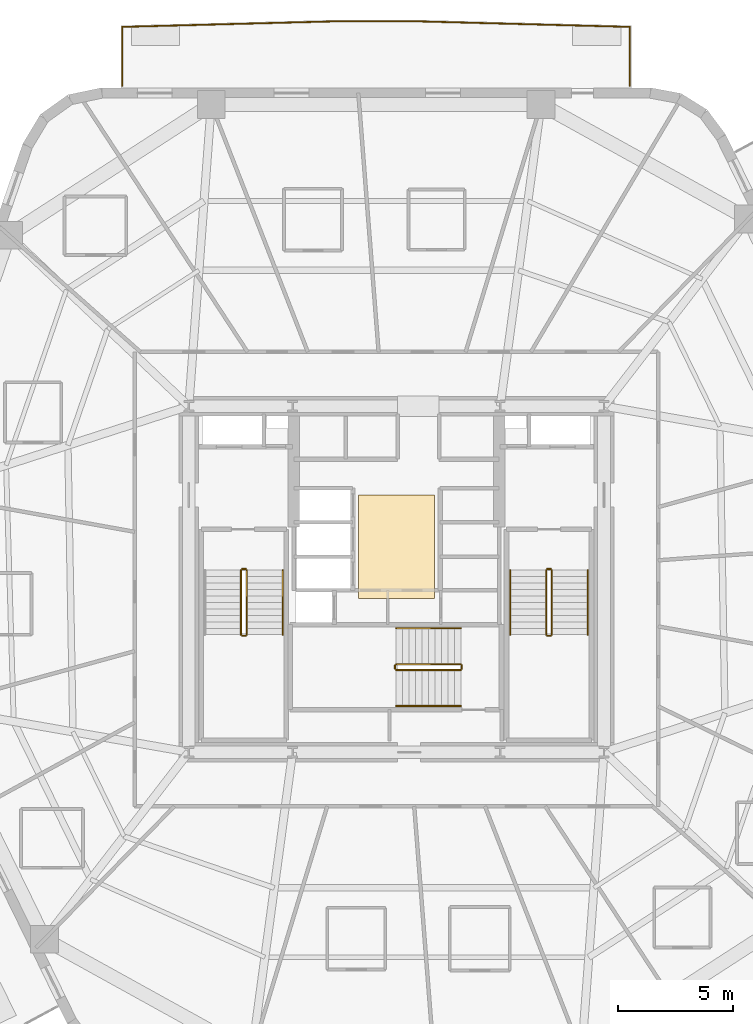
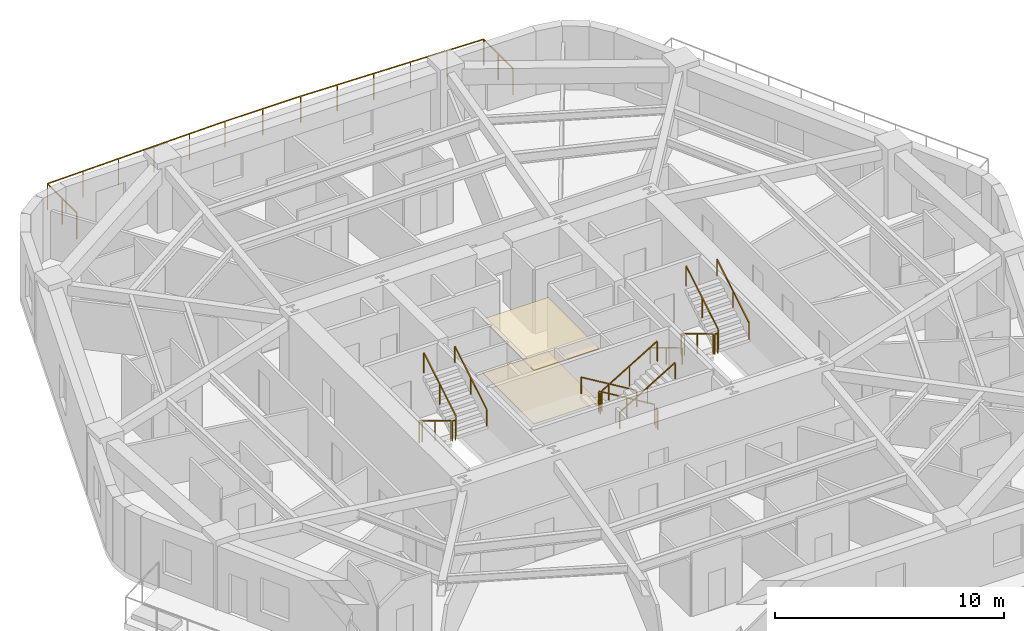
# One storey, part 9 of 10: 18 railings, 2 coverings.
"""IFC4 building model written with IfcOpenShell, lengths in metres."""

from ifc_helpers import new_model, si_unit, direction, frame, origin, origin_2d, place, context, subcontext, project, spatial, polyline, rectangle, outline, extrude, material, layer, layer_set, type_object, element, save


model = new_model("IFC4")

# Units and contexts
model_context = context("Model", 3, precision=1e-05, world=origin(), true_north=direction((0.0, 1.0)))
body_context = subcontext(model_context, "Body", "Model", "MODEL_VIEW")
ifc_project = project(units=[si_unit("LENGTHUNIT", "METRE"), si_unit("AREAUNIT", "SQUARE_METRE"), si_unit("VOLUMEUNIT", "CUBIC_METRE"), si_unit("PLANEANGLEUNIT", "RADIAN"), si_unit("MASSUNIT", "GRAM", prefix="KILO")], contexts=[model_context])

# Site, building, storey
site_placement = place(None, origin())
site = spatial("IfcSite", under=ifc_project, at=site_placement, CompositionType="ELEMENT")
building_placement = place(site_placement, origin())
building = spatial("IfcBuilding", under=site, at=building_placement, Name="Kilnhurst Terrace Hotel", CompositionType="ELEMENT")
storey_placement = place(building_placement, frame((0.0, 0.0, 95.10009765625)))
storey = spatial("IfcBuildingStorey", under=building, at=storey_placement, Name="L22", CompositionType="ELEMENT", Elevation=95.10009765625)

# Coverings
ifc_material_1 = material(Name="Perforated Micro-Acoustic Gypsum and Mineral Wool Ceiling")
ifc_layer_1 = layer(ifc_material_1, 0.050048828125, Name="Perforated Micro-Acoustic Gypsum and Mineral Wool Ceiling")
ifc_layer_set_1 = layer_set([ifc_layer_1], Name="Perforated Micro-Acoustic Gypsum and Mineral Wool Ceiling")
covering_type_1 = type_object("IfcCoveringType", Name="COV-CLG-AC60", PredefinedType="CEILING", material=ifc_layer_set_1)
covering_1_placement = place(storey_placement, frame((0.0, 0.0, 2.849853515625)))
element("IfcCovering", 1, at=covering_1_placement, inside=storey, type_object=covering_type_1, Name="L22 Lift Lobby Suspended Acoustic Ceiling", PredefinedType="CEILING", context=body_context, shape_type="SweptSolid", body=[
    extrude(outline(polyline([(-1.64990234375, -0.85009765625), (1.64990234375, -0.85009765625), (1.64990234375, 3.64990234375), (-1.64990234375, 3.64990234375), (-1.64990234375, -0.85009765625)])), origin(), (0.0, 0.0, 1.0), 0.050048828125),
])
ifc_material_2 = material(Name="Honed Texas Cream Limestone Tile Flooring", Category="masonry")
ifc_layer_2 = layer(ifc_material_2, 0.030029296875, Name="Honed Texas Cream Limestone Tile Flooring")
ifc_layer_set_2 = layer_set([ifc_layer_2], Name="Honed Texas Cream Limestone Tile Flooring")
covering_type_2 = type_object("IfcCoveringType", Name="COV-FLR-STN30", PredefinedType="FLOORING", material=ifc_layer_set_2)
covering_2_placement = place(storey_placement, origin())
element("IfcCovering", 2, at=covering_2_placement, inside=storey, type_object=covering_type_2, Name="L22 Lift Lobby Honed Limestone Flooring", PredefinedType="FLOORING", context=body_context, shape_type="SweptSolid", body=[
    extrude(outline(polyline([(-1.64990234375, -0.85009765625), (1.64990234375, -0.85009765625), (1.64990234375, 3.64990234375), (-1.64990234375, 3.64990234375), (-1.64990234375, -0.85009765625)])), origin(), (0.0, 0.0, 1.0), 0.02978515625),
])

# Railings
ifc_material_3 = material(Name="Laminated SentryGlas and Stainless Steel AISI 316L Balustrade", Category="steel")
ifc_layer_3 = layer(ifc_material_3, 0.070068359375, Name="Laminated SentryGlas and Stainless Steel AISI 316L Balustrade")
ifc_layer_set_3 = layer_set([ifc_layer_3], Name="Laminated SentryGlas and Stainless Steel AISI 316L Balustrade")
railing_type_1 = type_object("IfcRailingType", Name="RLG-BAL-1420", PredefinedType="BALUSTRADE", material=ifc_layer_set_3)
railing_1_placement = place(storey_placement, frame((-11.8837890625, 21.3798828125, 0.0)))
element("IfcRailing", 3, at=railing_1_placement, inside=storey, type_object=railing_type_1, Name="L22 Exterior Terrace Guardrail BAL-L1B.1", PredefinedType="BALUSTRADE", context=body_context, shape_type="SweptSolid", body=[
    extrude(rectangle(XDim=0.048095703125, YDim=0.048095703125, at=origin_2d()), frame((0.0, 0.0, 1.39599609375), z_axis=(0.0, 1.0, 0.0), x_axis=(-1.0, 0.0, 0.0)), (0.0, 0.0, 1.0), 2.561767578125),
    extrude(rectangle(XDim=0.048095703125, YDim=0.048095703125, at=origin_2d()), frame((0.0, 2.561767578125, 1.39599609375), z_axis=(0.999657105501, 0.026185328367, 0.0), x_axis=(-0.026185328367, 0.999657105501, 0.0)), (0.0, 0.0, 1.0), 9.099853515625),
    extrude(rectangle(XDim=0.048095703125, YDim=0.048095703125, at=origin_2d()), frame((9.0966796875, 2.800048828125, 1.39599609375), z_axis=(1.0, 0.0, 0.0), x_axis=(0.0, 1.0, 0.0)), (0.0, 0.0, 1.0), 3.8134765625),
    extrude(rectangle(XDim=0.048095703125, YDim=0.048095703125, at=origin_2d()), frame((12.91015625, 2.800048828125, 1.39599609375), z_axis=(0.999657105501, -0.026185328367, 0.0), x_axis=(0.026185328367, 0.999657105501, 0.0)), (0.0, 0.0, 1.0), 9.099853515625),
    extrude(rectangle(XDim=0.048095703125, YDim=0.048095703125, at=origin_2d()), frame((22.0068359375, 2.561767578125, 1.39599609375), z_axis=(0.0, -1.0, 0.0), x_axis=(1.0, 0.0, 0.0)), (0.0, 0.0, 1.0), 2.561767578125),
    extrude(rectangle(XDim=0.0419921875, YDim=0.0419921875, at=origin_2d()), origin(), (0.0, 0.0, 1.0), 1.371826171875),
    extrude(rectangle(XDim=0.0419921875, YDim=0.0419921875, at=origin_2d()), frame((0.0, 1.28076171875, 0.0)), (0.0, 0.0, 1.0), 1.371826171875),
    extrude(rectangle(XDim=0.0419921875, YDim=0.0419921875, at=origin_2d()), frame((0.0, 2.561767578125, 0.0)), (0.0, 0.0, 1.0), 1.371826171875),
    extrude(rectangle(XDim=0.0419921875, YDim=0.0419921875, at=origin_2d()), frame((1.8193359375, 2.609375, 0.0)), (0.0, 0.0, 1.0), 1.371826171875),
    extrude(rectangle(XDim=0.0419921875, YDim=0.0419921875, at=origin_2d()), frame((3.638671875, 2.656982421875, 0.0)), (0.0, 0.0, 1.0), 1.371826171875),
    extrude(rectangle(XDim=0.0419921875, YDim=0.0419921875, at=origin_2d()), frame((5.4580078125, 2.704833984375, 0.0)), (0.0, 0.0, 1.0), 1.371826171875),
    extrude(rectangle(XDim=0.0419921875, YDim=0.0419921875, at=origin_2d()), frame((7.27734375, 2.75244140625, 0.0)), (0.0, 0.0, 1.0), 1.371826171875),
    extrude(rectangle(XDim=0.0419921875, YDim=0.0419921875, at=origin_2d()), frame((9.0966796875, 2.800048828125, 0.0)), (0.0, 0.0, 1.0), 1.371826171875),
    extrude(rectangle(XDim=0.0419921875, YDim=0.0419921875, at=origin_2d()), frame((11.00341796875, 2.800048828125, 0.0)), (0.0, 0.0, 1.0), 1.371826171875),
    extrude(rectangle(XDim=0.0419921875, YDim=0.0419921875, at=origin_2d()), frame((12.91015625, 2.800048828125, 0.0)), (0.0, 0.0, 1.0), 1.371826171875),
    extrude(rectangle(XDim=0.0419921875, YDim=0.0419921875, at=origin_2d()), frame((14.7294921875, 2.75244140625, 0.0)), (0.0, 0.0, 1.0), 1.371826171875),
    extrude(rectangle(XDim=0.0419921875, YDim=0.0419921875, at=origin_2d()), frame((16.548828125, 2.704833984375, 0.0)), (0.0, 0.0, 1.0), 1.371826171875),
    extrude(rectangle(XDim=0.0419921875, YDim=0.0419921875, at=origin_2d()), frame((18.3681640625, 2.656982421875, 0.0)), (0.0, 0.0, 1.0), 1.371826171875),
    extrude(rectangle(XDim=0.0419921875, YDim=0.0419921875, at=origin_2d()), frame((20.1875, 2.609375, 0.0)), (0.0, 0.0, 1.0), 1.371826171875),
    extrude(rectangle(XDim=0.0419921875, YDim=0.0419921875, at=origin_2d()), frame((22.0068359375, 2.561767578125, 0.0)), (0.0, 0.0, 1.0), 1.371826171875),
    extrude(rectangle(XDim=0.0419921875, YDim=0.0419921875, at=origin_2d()), frame((22.0068359375, 1.28076171875, 0.0)), (0.0, 0.0, 1.0), 1.371826171875),
    extrude(rectangle(XDim=0.0419921875, YDim=0.0419921875, at=origin_2d()), frame((22.0068359375, 0.0, 0.0)), (0.0, 0.0, 1.0), 1.371826171875),
])
ifc_material_4 = material(Name="Powder-Coated Steel ASTM A500 Grade B", Category="steel")
ifc_layer_4 = layer(ifc_material_4, 0.050048828125, Name="Powder-Coated Steel ASTM A500 Grade B")
ifc_layer_set_4 = layer_set([ifc_layer_4], Name="Powder-Coated Steel ASTM A500 Grade B")
railing_type_2 = type_object("IfcRailingType", Name="RLG-ST-GRD-1100", PredefinedType="GUARDRAIL", material=ifc_layer_set_4)
railing_2_placement = place(storey_placement, frame((-6.739990234375, 0.389892578125, 0.16796875)))
element("IfcRailing", 4, at=railing_2_placement, inside=storey, type_object=railing_type_2, Name="L22 ST-1 stair guard 1", PredefinedType="GUARDRAIL", context=body_context, shape_type="SweptSolid", body=[
    extrude(rectangle(XDim=0.048095703125, YDim=0.048095703125, at=origin_2d()), frame((0.0, 0.0, 1.076171875), z_axis=(0.0, -0.857222391501, 0.514946377315), x_axis=(1.0, 0.0, 0.0)), (0.0, 0.0, 1.0), 3.26611328125),
    extrude(rectangle(XDim=0.0419921875, YDim=0.0419921875, at=origin_2d()), origin(), (0.0, 0.0, 1.0), 1.052001953125),
    extrude(rectangle(XDim=0.0419921875, YDim=0.0419921875, at=origin_2d()), frame((0.0, -1.39990234375, 0.8408203125)), (0.0, 0.0, 1.0), 1.052001953125),
    extrude(rectangle(XDim=0.0419921875, YDim=0.0419921875, at=origin_2d()), frame((0.0, -2.7998046875, 1.681884765625)), (0.0, 0.0, 1.0), 1.052001953125),
])
railing_3_placement = place(storey_placement, frame((-6.68994140625, -2.4599609375, 1.849853515625)))
element("IfcRailing", 5, at=railing_3_placement, inside=storey, type_object=railing_type_2, Name="L22 ST-1 stair guard 2", PredefinedType="GUARDRAIL", context=body_context, shape_type="SweptSolid", body=[
    extrude(rectangle(XDim=0.048095703125, YDim=0.048095703125, at=origin_2d()), frame((0.0, 0.0, 1.076171875), z_axis=(1.0, 0.0, 0.0), x_axis=(0.0, 1.0, 0.0)), (0.0, 0.0, 1.0), 0.14990234375),
    extrude(rectangle(XDim=0.0419921875, YDim=0.0419921875, at=origin_2d()), origin(), (0.0, 0.0, 1.0), 1.052001953125),
    extrude(rectangle(XDim=0.0419921875, YDim=0.0419921875, at=origin_2d()), frame((0.14990234375, 0.0, 0.0)), (0.0, 0.0, 1.0), 1.052001953125),
])
railing_4_placement = place(storey_placement, frame((-6.489990234375, -2.409912109375, 2.01806640625)))
element("IfcRailing", 6, at=railing_4_placement, inside=storey, type_object=railing_type_2, Name="L22 ST-1 stair guard 3", PredefinedType="GUARDRAIL", context=body_context, shape_type="SweptSolid", body=[
    extrude(rectangle(XDim=0.048095703125, YDim=0.048095703125, at=origin_2d()), frame((0.0, 0.0, 1.076171875), z_axis=(0.0, 0.857222391501, 0.514946377315), x_axis=(-1.0, 0.0, 0.0)), (0.0, 0.0, 1.0), 3.26611328125),
    extrude(rectangle(XDim=0.0419921875, YDim=0.0419921875, at=origin_2d()), origin(), (0.0, 0.0, 1.0), 1.052001953125),
    extrude(rectangle(XDim=0.0419921875, YDim=0.0419921875, at=origin_2d()), frame((0.0, 1.39990234375, 0.8408203125)), (0.0, 0.0, 1.0), 1.052001953125),
    extrude(rectangle(XDim=0.0419921875, YDim=0.0419921875, at=origin_2d()), frame((0.0, 2.7998046875, 1.681884765625)), (0.0, 0.0, 1.0), 1.052001953125),
])
railing_5_placement = place(storey_placement, frame((-6.68994140625, 0.43994140625, 0.0)))
element("IfcRailing", 7, at=railing_5_placement, inside=storey, type_object=railing_type_2, Name="L22 ST-1 stair guard 4", PredefinedType="GUARDRAIL", context=body_context, shape_type="SweptSolid", body=[
    extrude(rectangle(XDim=0.048095703125, YDim=0.048095703125, at=origin_2d()), frame((0.0, 0.0, 1.076171875), z_axis=(1.0, 0.0, 0.0), x_axis=(0.0, 1.0, 0.0)), (0.0, 0.0, 1.0), 0.14990234375),
    extrude(rectangle(XDim=0.0419921875, YDim=0.0419921875, at=origin_2d()), origin(), (0.0, 0.0, 1.0), 1.052001953125),
    extrude(rectangle(XDim=0.0419921875, YDim=0.0419921875, at=origin_2d()), frame((0.14990234375, 0.0, 0.0)), (0.0, 0.0, 1.0), 1.052001953125),
])
railing_6_placement = place(storey_placement, frame((6.489990234375, 0.389892578125, 0.16796875)))
element("IfcRailing", 8, at=railing_6_placement, inside=storey, type_object=railing_type_2, Name="L22 ST-2 stair guard 1", PredefinedType="GUARDRAIL", context=body_context, shape_type="SweptSolid", body=[
    extrude(rectangle(XDim=0.048095703125, YDim=0.048095703125, at=origin_2d()), frame((0.0, 0.0, 1.076171875), z_axis=(0.0, -0.857222391501, 0.514946377315), x_axis=(1.0, 0.0, 0.0)), (0.0, 0.0, 1.0), 3.26611328125),
    extrude(rectangle(XDim=0.0419921875, YDim=0.0419921875, at=origin_2d()), origin(), (0.0, 0.0, 1.0), 1.052001953125),
    extrude(rectangle(XDim=0.0419921875, YDim=0.0419921875, at=origin_2d()), frame((0.0, -1.39990234375, 0.8408203125)), (0.0, 0.0, 1.0), 1.052001953125),
    extrude(rectangle(XDim=0.0419921875, YDim=0.0419921875, at=origin_2d()), frame((0.0, -2.7998046875, 1.681884765625)), (0.0, 0.0, 1.0), 1.052001953125),
])
railing_7_placement = place(storey_placement, frame((6.5400390625, -2.4599609375, 1.849853515625)))
element("IfcRailing", 9, at=railing_7_placement, inside=storey, type_object=railing_type_2, Name="L22 ST-2 stair guard 2", PredefinedType="GUARDRAIL", context=body_context, shape_type="SweptSolid", body=[
    extrude(rectangle(XDim=0.048095703125, YDim=0.048095703125, at=origin_2d()), frame((0.0, 0.0, 1.076171875), z_axis=(1.0, 0.0, 0.0), x_axis=(0.0, 1.0, 0.0)), (0.0, 0.0, 1.0), 0.14990234375),
    extrude(rectangle(XDim=0.0419921875, YDim=0.0419921875, at=origin_2d()), origin(), (0.0, 0.0, 1.0), 1.052001953125),
    extrude(rectangle(XDim=0.0419921875, YDim=0.0419921875, at=origin_2d()), frame((0.14990234375, 0.0, 0.0)), (0.0, 0.0, 1.0), 1.052001953125),
])
railing_8_placement = place(storey_placement, frame((6.739990234375, -2.409912109375, 2.01806640625)))
element("IfcRailing", 10, at=railing_8_placement, inside=storey, type_object=railing_type_2, Name="L22 ST-2 stair guard 3", PredefinedType="GUARDRAIL", context=body_context, shape_type="SweptSolid", body=[
    extrude(rectangle(XDim=0.048095703125, YDim=0.048095703125, at=origin_2d()), frame((0.0, 0.0, 1.076171875), z_axis=(0.0, 0.857222391501, 0.514946377315), x_axis=(-1.0, 0.0, 0.0)), (0.0, 0.0, 1.0), 3.26611328125),
    extrude(rectangle(XDim=0.0419921875, YDim=0.0419921875, at=origin_2d()), origin(), (0.0, 0.0, 1.0), 1.052001953125),
    extrude(rectangle(XDim=0.0419921875, YDim=0.0419921875, at=origin_2d()), frame((0.0, 1.39990234375, 0.8408203125)), (0.0, 0.0, 1.0), 1.052001953125),
    extrude(rectangle(XDim=0.0419921875, YDim=0.0419921875, at=origin_2d()), frame((0.0, 2.7998046875, 1.681884765625)), (0.0, 0.0, 1.0), 1.052001953125),
])
railing_9_placement = place(storey_placement, frame((6.5400390625, 0.43994140625, 0.0)))
element("IfcRailing", 11, at=railing_9_placement, inside=storey, type_object=railing_type_2, Name="L22 ST-2 stair guard 4", PredefinedType="GUARDRAIL", context=body_context, shape_type="SweptSolid", body=[
    extrude(rectangle(XDim=0.048095703125, YDim=0.048095703125, at=origin_2d()), frame((0.0, 0.0, 1.076171875), z_axis=(1.0, 0.0, 0.0), x_axis=(0.0, 1.0, 0.0)), (0.0, 0.0, 1.0), 0.14990234375),
    extrude(rectangle(XDim=0.0419921875, YDim=0.0419921875, at=origin_2d()), origin(), (0.0, 0.0, 1.0), 1.052001953125),
    extrude(rectangle(XDim=0.0419921875, YDim=0.0419921875, at=origin_2d()), frame((0.14990234375, 0.0, 0.0)), (0.0, 0.0, 1.0), 1.052001953125),
])
railing_10_placement = place(storey_placement, frame((2.7900390625, -3.68994140625, 0.16796875)))
element("IfcRailing", 12, at=railing_10_placement, inside=storey, type_object=railing_type_2, Name="L22 ST-3 stair guard 1", PredefinedType="GUARDRAIL", context=body_context, shape_type="SweptSolid", body=[
    extrude(rectangle(XDim=0.048095703125, YDim=0.048095703125, at=origin_2d()), frame((0.0, 0.0, 1.076171875), z_axis=(-0.857242210791, 0.0, 0.514913383045), x_axis=(0.0, -1.0, 0.0)), (0.0, 0.0, 1.0), 3.266357421875),
    extrude(rectangle(XDim=0.0419921875, YDim=0.0419921875, at=origin_2d()), origin(), (0.0, 0.0, 1.0), 1.052001953125),
    extrude(rectangle(XDim=0.0419921875, YDim=0.0419921875, at=origin_2d()), frame((-1.39990234375, 0.0, 0.8408203125)), (0.0, 0.0, 1.0), 1.052001953125),
    extrude(rectangle(XDim=0.0419921875, YDim=0.0419921875, at=origin_2d()), frame((-2.800048828125, 0.0, 1.681884765625)), (0.0, 0.0, 1.0), 1.052001953125),
])
railing_11_placement = place(storey_placement, frame((-0.06005859375, -3.739990234375, 1.849853515625)))
element("IfcRailing", 13, at=railing_11_placement, inside=storey, type_object=railing_type_2, Name="L22 ST-3 stair guard 2", PredefinedType="GUARDRAIL", context=body_context, shape_type="SweptSolid", body=[
    extrude(rectangle(XDim=0.048095703125, YDim=0.048095703125, at=origin_2d()), frame((0.0, 0.0, 1.076171875), z_axis=(0.0, -1.0, 0.0), x_axis=(1.0, 0.0, 0.0)), (0.0, 0.0, 1.0), 0.14990234375),
    extrude(rectangle(XDim=0.0419921875, YDim=0.0419921875, at=origin_2d()), origin(), (0.0, 0.0, 1.0), 1.052001953125),
    extrude(rectangle(XDim=0.0419921875, YDim=0.0419921875, at=origin_2d()), frame((0.0, -0.14990234375, 0.0)), (0.0, 0.0, 1.0), 1.052001953125),
])
railing_12_placement = place(storey_placement, frame((-0.010009765625, -3.93994140625, 2.01806640625)))
element("IfcRailing", 14, at=railing_12_placement, inside=storey, type_object=railing_type_2, Name="L22 ST-3 stair guard 3", PredefinedType="GUARDRAIL", context=body_context, shape_type="SweptSolid", body=[
    extrude(rectangle(XDim=0.048095703125, YDim=0.048095703125, at=origin_2d()), frame((0.0, 0.0, 1.076171875), z_axis=(0.857242210791, 0.0, 0.514913383045), x_axis=(0.0, 1.0, 0.0)), (0.0, 0.0, 1.0), 3.266357421875),
    extrude(rectangle(XDim=0.0419921875, YDim=0.0419921875, at=origin_2d()), origin(), (0.0, 0.0, 1.0), 1.052001953125),
    extrude(rectangle(XDim=0.0419921875, YDim=0.0419921875, at=origin_2d()), frame((1.39990234375, 0.0, 0.8408203125)), (0.0, 0.0, 1.0), 1.052001953125),
    extrude(rectangle(XDim=0.0419921875, YDim=0.0419921875, at=origin_2d()), frame((2.800048828125, 0.0, 1.681884765625)), (0.0, 0.0, 1.0), 1.052001953125),
])
railing_13_placement = place(storey_placement, frame((2.840087890625, -3.739990234375, 0.0)))
element("IfcRailing", 15, at=railing_13_placement, inside=storey, type_object=railing_type_2, Name="L22 ST-3 stair guard 4", PredefinedType="GUARDRAIL", context=body_context, shape_type="SweptSolid", body=[
    extrude(rectangle(XDim=0.048095703125, YDim=0.048095703125, at=origin_2d()), frame((0.0, 0.0, 1.076171875), z_axis=(0.0, -1.0, 0.0), x_axis=(1.0, 0.0, 0.0)), (0.0, 0.0, 1.0), 0.14990234375),
    extrude(rectangle(XDim=0.0419921875, YDim=0.0419921875, at=origin_2d()), origin(), (0.0, 0.0, 1.0), 1.052001953125),
    extrude(rectangle(XDim=0.0419921875, YDim=0.0419921875, at=origin_2d()), frame((0.0, -0.14990234375, 0.0)), (0.0, 0.0, 1.0), 1.052001953125),
])
ifc_material_5 = material(Name="Brushed Stainless Steel AISI 304", Category="steel")
ifc_layer_5 = layer(ifc_material_5, 0.048095703125, Name="Brushed Stainless Steel AISI 304")
ifc_layer_set_5 = layer_set([ifc_layer_5], Name="Brushed Stainless Steel AISI 304")
railing_type_3 = type_object("IfcRailingType", Name="RLG-ST-HRL-900", PredefinedType="HANDRAIL", material=ifc_layer_set_5)
railing_14_placement = place(storey_placement, frame((-4.929931640625, -2.409912109375, 2.01806640625)))
element("IfcRailing", 16, at=railing_14_placement, inside=storey, type_object=railing_type_3, Name="L22 ST-1 stair handrail 2", PredefinedType="HANDRAIL", context=body_context, shape_type="SweptSolid", body=[
    extrude(rectangle(XDim=0.048095703125, YDim=0.048095703125, at=origin_2d()), frame((0.0, 0.0, 0.8759765625), z_axis=(0.0, 0.857222391501, 0.514946377315), x_axis=(-1.0, 0.0, 0.0)), (0.0, 0.0, 1.0), 3.26611328125),
    extrude(rectangle(XDim=0.0419921875, YDim=0.0419921875, at=origin_2d()), origin(), (0.0, 0.0, 1.0), 0.851806640625),
    extrude(rectangle(XDim=0.0419921875, YDim=0.0419921875, at=origin_2d()), frame((0.0, 1.39990234375, 0.8408203125)), (0.0, 0.0, 1.0), 0.851806640625),
    extrude(rectangle(XDim=0.0419921875, YDim=0.0419921875, at=origin_2d()), frame((0.0, 2.7998046875, 1.681884765625)), (0.0, 0.0, 1.0), 0.851806640625),
])
railing_15_placement = place(storey_placement, frame((4.929931640625, 0.389892578125, 0.16796875)))
element("IfcRailing", 17, at=railing_15_placement, inside=storey, type_object=railing_type_3, Name="L22 ST-2 stair handrail 1", PredefinedType="HANDRAIL", context=body_context, shape_type="SweptSolid", body=[
    extrude(rectangle(XDim=0.048095703125, YDim=0.048095703125, at=origin_2d()), frame((0.0, 0.0, 0.8759765625), z_axis=(0.0, -0.857222391501, 0.514946377315), x_axis=(1.0, 0.0, 0.0)), (0.0, 0.0, 1.0), 3.26611328125),
    extrude(rectangle(XDim=0.0419921875, YDim=0.0419921875, at=origin_2d()), origin(), (0.0, 0.0, 1.0), 0.851806640625),
    extrude(rectangle(XDim=0.0419921875, YDim=0.0419921875, at=origin_2d()), frame((0.0, -1.39990234375, 0.8408203125)), (0.0, 0.0, 1.0), 0.851806640625),
    extrude(rectangle(XDim=0.0419921875, YDim=0.0419921875, at=origin_2d()), frame((0.0, -2.7998046875, 1.681884765625)), (0.0, 0.0, 1.0), 0.851806640625),
])
railing_16_placement = place(storey_placement, frame((8.300048828125, -2.409912109375, 2.01806640625)))
element("IfcRailing", 18, at=railing_16_placement, inside=storey, type_object=railing_type_3, Name="L22 ST-2 stair handrail 2", PredefinedType="HANDRAIL", context=body_context, shape_type="SweptSolid", body=[
    extrude(rectangle(XDim=0.048095703125, YDim=0.048095703125, at=origin_2d()), frame((0.0, 0.0, 0.8759765625), z_axis=(0.0, 0.857222391501, 0.514946377315), x_axis=(-1.0, 0.0, 0.0)), (0.0, 0.0, 1.0), 3.26611328125),
    extrude(rectangle(XDim=0.0419921875, YDim=0.0419921875, at=origin_2d()), origin(), (0.0, 0.0, 1.0), 0.851806640625),
    extrude(rectangle(XDim=0.0419921875, YDim=0.0419921875, at=origin_2d()), frame((0.0, 1.39990234375, 0.8408203125)), (0.0, 0.0, 1.0), 0.851806640625),
    extrude(rectangle(XDim=0.0419921875, YDim=0.0419921875, at=origin_2d()), frame((0.0, 2.7998046875, 1.681884765625)), (0.0, 0.0, 1.0), 0.851806640625),
])
railing_17_placement = place(storey_placement, frame((2.7900390625, -2.1298828125, 0.16796875)))
element("IfcRailing", 19, at=railing_17_placement, inside=storey, type_object=railing_type_3, Name="L22 ST-3 stair handrail 1", PredefinedType="HANDRAIL", context=body_context, shape_type="SweptSolid", body=[
    extrude(rectangle(XDim=0.048095703125, YDim=0.048095703125, at=origin_2d()), frame((0.0, 0.0, 0.8759765625), z_axis=(-0.857242210791, 0.0, 0.514913383045), x_axis=(0.0, -1.0, 0.0)), (0.0, 0.0, 1.0), 3.266357421875),
    extrude(rectangle(XDim=0.0419921875, YDim=0.0419921875, at=origin_2d()), origin(), (0.0, 0.0, 1.0), 0.851806640625),
    extrude(rectangle(XDim=0.0419921875, YDim=0.0419921875, at=origin_2d()), frame((-1.39990234375, 0.0, 0.8408203125)), (0.0, 0.0, 1.0), 0.851806640625),
    extrude(rectangle(XDim=0.0419921875, YDim=0.0419921875, at=origin_2d()), frame((-2.800048828125, 0.0, 1.681884765625)), (0.0, 0.0, 1.0), 0.851806640625),
])
railing_18_placement = place(storey_placement, frame((-0.010009765625, -5.5, 2.01806640625)))
element("IfcRailing", 20, at=railing_18_placement, inside=storey, type_object=railing_type_3, Name="L22 ST-3 stair handrail 2", PredefinedType="HANDRAIL", context=body_context, shape_type="SweptSolid", body=[
    extrude(rectangle(XDim=0.048095703125, YDim=0.048095703125, at=origin_2d()), frame((0.0, 0.0, 0.8759765625), z_axis=(0.857242210791, 0.0, 0.514913383045), x_axis=(0.0, 1.0, 0.0)), (0.0, 0.0, 1.0), 3.266357421875),
    extrude(rectangle(XDim=0.0419921875, YDim=0.0419921875, at=origin_2d()), origin(), (0.0, 0.0, 1.0), 0.851806640625),
    extrude(rectangle(XDim=0.0419921875, YDim=0.0419921875, at=origin_2d()), frame((1.39990234375, 0.0, 0.8408203125)), (0.0, 0.0, 1.0), 0.851806640625),
    extrude(rectangle(XDim=0.0419921875, YDim=0.0419921875, at=origin_2d()), frame((2.800048828125, 0.0, 1.681884765625)), (0.0, 0.0, 1.0), 0.851806640625),
])

save(model, "model.ifc")
